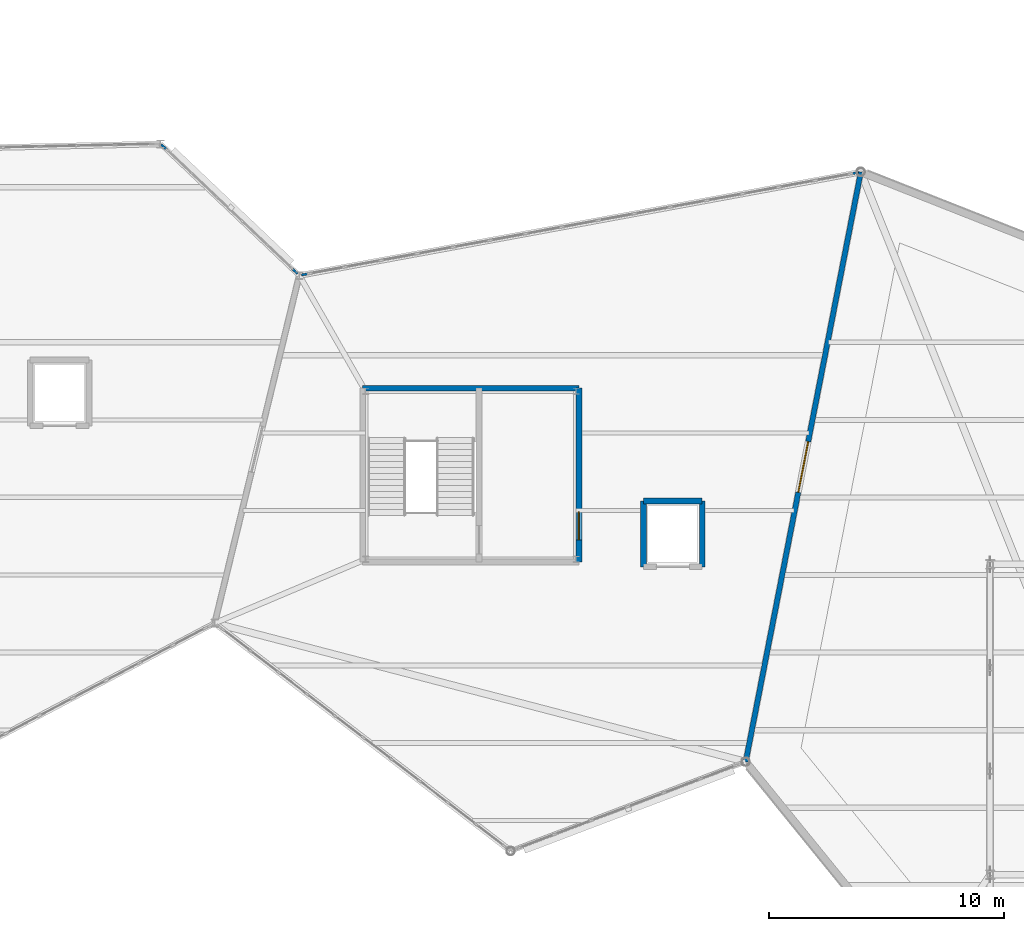
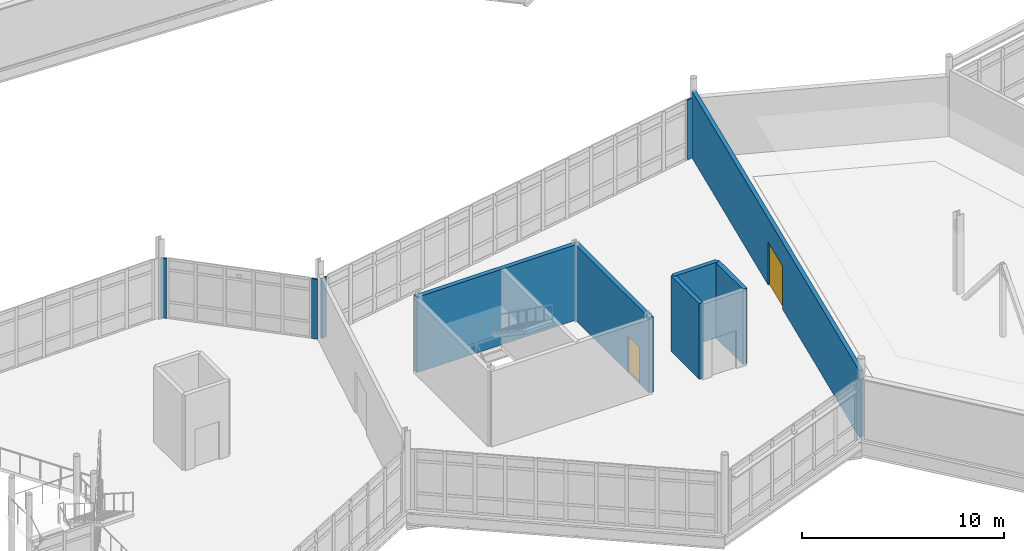
# One storey, part 92 of 114: 10 walls, 2 doors, 2 openings.
"""IFC4 building model written with IfcOpenShell, lengths in metres."""

from ifc_helpers import new_model, si_unit, direction, frame, frame_2d, origin, place, context, subcontext, project, spatial, rectangle, extrude, material, layer, layer_set, type_object, element, fill, save


model = new_model("IFC4")

# Units and contexts
model_context = context("Model", 3, precision=1e-05, world=origin(), true_north=direction((0.0, 1.0)))
body_context = subcontext(model_context, "Body", "Model", "MODEL_VIEW")
ifc_project = project(units=[si_unit("LENGTHUNIT", "METRE"), si_unit("AREAUNIT", "SQUARE_METRE"), si_unit("VOLUMEUNIT", "CUBIC_METRE"), si_unit("PLANEANGLEUNIT", "RADIAN"), si_unit("MASSUNIT", "GRAM", prefix="KILO")], contexts=[model_context])

# Site, building, storey
site_placement = place(None, origin())
site = spatial("IfcSite", under=ifc_project, at=site_placement, CompositionType="ELEMENT")
building_placement = place(site_placement, origin())
building = spatial("IfcBuilding", under=site, at=building_placement, Name="Tameran Prism Museum", CompositionType="ELEMENT")
storey_placement = place(building_placement, frame((0.0, 0.0, 10.199951171875)))
storey = spatial("IfcBuildingStorey", under=building, at=storey_placement, Name="L02", CompositionType="ELEMENT", Elevation=10.199951171875)

# Walls
ifc_material_1 = material(Name="Precast Concrete N40 (40 MPa)", Category="concrete")
ifc_layer_1 = layer(ifc_material_1, 0.094970703125)
ifc_layer_set_1 = layer_set([ifc_layer_1])
wall_type_1 = type_object("IfcWallType", Name="EW-CLOS-095", PredefinedType="SOLIDWALL", material=ifc_layer_set_1)
for number, where, z_axis, x_axis, name in (
    (1, (95.830078125, 48.571044921875, 0.0), (0.0, 0.0, 1.0), (0.725848676719, -0.687854416651, 0.0), "Facade Corner Closure EW-0304"),
    (2, (101.403076171875, 43.281982421875, 0.0), (0.0, 0.0, 1.0), (0.726243974232, -0.687437044311, 0.0), "Facade Corner Closure EW-0305"),
):
    element("IfcWall", number, at=place(storey_placement, frame(where, z_axis=z_axis, x_axis=x_axis)), inside=storey, type_object=wall_type_1, Name=name, PredefinedType="SOLIDWALL", context=body_context, shape_type="SweptSolid", body=[
        extrude(rectangle(XDim=0.308349609375, YDim=0.094970703125, at=frame_2d((0.154296875, 0.0))), origin(), (0.0, 0.0, 1.0), 3.6201171875),
    ])
for number, where, z_axis, x_axis, name in (
    (3, (101.800048828125, 43.01904296875, 0.0), (0.0, 0.0, 1.0), (0.983958590936, 0.178397004803, 0.0), "Facade Corner Closure EW-0318"),
    (4, (125.193115234375, 47.324951171875, 0.0), (0.0, 0.0, 1.0), (0.983958590936, 0.178397004803, 0.0), "Facade Corner Closure EW-0319"),
):
    element("IfcWall", number, at=place(storey_placement, frame(where, z_axis=z_axis, x_axis=x_axis)), inside=storey, type_object=wall_type_1, Name=name, PredefinedType="SOLIDWALL", context=body_context, shape_type="SweptSolid", body=[
        extrude(rectangle(XDim=0.307861328125, YDim=0.094970703125, at=frame_2d((0.15380859375, 0.0))), origin(), (0.0, 0.0, 1.0), 3.6201171875),
    ])

# Wall, opening, door
ifc_material_2 = material(Name="Concrete N40 (40 MPa)", Category="concrete")
ifc_layer_2 = layer(ifc_material_2, 0.22509765625)
ifc_layer_set_2 = layer_set([ifc_layer_2])
wall_type_2 = type_object("IfcWallType", Name="IW-CMP-225", PredefinedType="SOLIDWALL", material=ifc_layer_set_2)
wall_1_placement = place(storey_placement, frame((120.699951171875, 22.300048828125, 0.0), z_axis=(0.0, 0.0, 1.0), x_axis=(0.191608827438, 0.981471373626, 0.0)))
wall_1 = element("IfcWall", 5, at=wall_1_placement, inside=storey, type_object=wall_type_2, Name="Compartment Wall IW-0121", PredefinedType="SOLIDWALL", context=body_context, shape_type="SweptSolid", body=[
    extrude(rectangle(XDim=25.57373046875, YDim=0.22509765625, at=frame_2d((12.786865234375, 0.0))), origin(), (0.0, 0.0, 1.0), 4.02001953125),
])
opening_1_placement = place(wall_1_placement, frame((11.68701171875, 0.0, 0.0)))
opening_1 = element("IfcOpeningElement", 6, at=opening_1_placement, cuts=wall_1, Name="Opening ID-0120", PredefinedType="OPENING", context=body_context, shape_type="SweptSolid", body=[
    extrude(rectangle(XDim=2.199951171875, YDim=2.60009765625, at=frame_2d((1.10009765625, 1.300048828125))), frame((0.0, 0.12255859375, 0.0), z_axis=(0.0, -1.0, 0.0), x_axis=(1.0, 0.0, 0.0)), (0.0, 0.0, 1.0), 0.2451171875),
])
ifc_material_3 = material(Name="Fire-Rated Steel Door Leaf and Frame", Category="steel")
door_type_1 = type_object("IfcDoorType", Name="DR-GAL-220", OperationType="DOUBLE_DOOR_SINGLE_SWING", PredefinedType="DOOR", material=ifc_material_3)
door_1_placement = place(opening_1_placement, origin())
door_1 = element("IfcDoor", 7, at=door_1_placement, inside=storey, type_object=door_type_1, Name="Compartment Door ID-0120", OperationType="DOUBLE_DOOR_SINGLE_SWING", OverallHeight=2.60009765625, OverallWidth=2.199951171875, PredefinedType="DOOR", context=body_context, shape_type="SweptSolid", body=[
    extrude(rectangle(XDim=2.199951171875, YDim=2.60009765625, at=frame_2d((1.10009765625, 1.300048828125))), frame((0.0, 0.02490234375, 0.0), z_axis=(0.0, -1.0, 0.0), x_axis=(1.0, 0.0, 0.0)), (0.0, 0.0, 1.0), 0.050048828125),
])
fill(opening_1, door_1)

# Wall
ifc_material_4 = material(Name="Concrete N40 (40 MPa)", Category="concrete")
ifc_layer_3 = layer(ifc_material_4, 0.25)
ifc_layer_set_3 = layer_set([ifc_layer_3])
wall_type_3 = type_object("IfcWallType", Name="IW-COR-250", PredefinedType="SHEAR", material=ifc_layer_set_3)
wall_2_placement = place(storey_placement, frame((104.39990234375, 38.199951171875, 0.0), z_axis=(0.0, 0.0, 1.0), x_axis=(1.0, 0.0, 0.0)))
element("IfcWall", 8, at=wall_2_placement, inside=storey, type_object=wall_type_3, Name="Core Shear Wall CW-4-L02-N", PredefinedType="SHEAR", context=body_context, shape_type="SweptSolid", body=[
    extrude(rectangle(XDim=9.2001953125, YDim=0.25, at=frame_2d((4.60009765625, 0.0))), origin(), (0.0, 0.0, 1.0), 4.56005859375),
])

# Wall, opening, door
wall_3_placement = place(storey_placement, frame((113.60009765625, 38.199951171875, 0.0), z_axis=(0.0, 0.0, 1.0), x_axis=(0.0, -1.0, 0.0)))
wall_3 = element("IfcWall", 9, at=wall_3_placement, inside=storey, type_object=wall_type_3, Name="Core Shear Wall CW-4-L02-E", PredefinedType="SHEAR", context=body_context, shape_type="SweptSolid", body=[
    extrude(rectangle(XDim=7.39990234375, YDim=0.25, at=frame_2d((3.699951171875, 0.0))), origin(), (0.0, 0.0, 1.0), 4.56005859375),
])
opening_2_placement = place(wall_3_placement, frame((5.25, 0.0, 0.0)))
opening_2 = element("IfcOpeningElement", 10, at=opening_2_placement, cuts=wall_3, Name="Opening FD-0239", PredefinedType="OPENING", context=body_context, shape_type="SweptSolid", body=[
    extrude(rectangle(XDim=1.199951171875, YDim=2.199951171875, at=frame_2d((0.60009765625, 1.10009765625))), frame((0.0, 0.135009765625, 0.0), z_axis=(0.0, -1.0, 0.0), x_axis=(1.0, 0.0, 0.0)), (0.0, 0.0, 1.0), 0.27001953125),
])
ifc_material_5 = material(Name="Fire-Rated Steel Door Leaf and Frame", Category="steel")
door_type_2 = type_object("IfcDoorType", Name="DR-FD-120A", OperationType="NOTDEFINED", PredefinedType="DOOR", material=ifc_material_5)
door_2_placement = place(opening_2_placement, origin())
door_2 = element("IfcDoor", 11, at=door_2_placement, inside=storey, type_object=door_type_2, Name="Core Fire Door FD-0239", OperationType="SINGLE_SWING_LEFT", OverallHeight=2.199951171875, OverallWidth=1.199951171875, PredefinedType="DOOR", context=body_context, shape_type="SweptSolid", body=[
    extrude(rectangle(XDim=1.199951171875, YDim=2.199951171875, at=frame_2d((0.60009765625, 1.10009765625))), frame((0.0, 0.02490234375, 0.0), z_axis=(0.0, -1.0, 0.0), x_axis=(1.0, 0.0, 0.0)), (0.0, 0.0, 1.0), 0.050048828125),
])
fill(opening_2, door_2)

# Walls
ifc_material_6 = material(Name="Concrete N40 (40 MPa)", Category="concrete")
ifc_layer_4 = layer(ifc_material_6, 0.239990234375)
ifc_layer_set_4 = layer_set([ifc_layer_4])
wall_type_4 = type_object("IfcWallType", Name="IW-LFT-240", PredefinedType="SHEAR", material=ifc_layer_set_4)
wall_4_placement = place(storey_placement, frame((116.35009765625, 33.39990234375, 0.0), z_axis=(0.0, 0.0, 1.0), x_axis=(1.0, 0.0, 0.0)))
element("IfcWall", 12, at=wall_4_placement, inside=storey, type_object=wall_type_4, Name="Lift Shaft Wall LW-PL03-L02N", PredefinedType="SHEAR", context=body_context, shape_type="SweptSolid", body=[
    extrude(rectangle(XDim=2.5, YDim=0.239990234375, at=frame_2d((1.25, 0.0))), origin(), (0.0, 0.0, 1.0), 4.56005859375),
])
for number, where, z_axis, x_axis, name in (
    (13, (118.85009765625, 33.39990234375, 0.0), (0.0, 0.0, 1.0), (0.0, -1.0, 0.0), "Lift Shaft Wall LW-PL03-L02E"),
    (14, (116.35009765625, 30.60009765625, 0.0), (0.0, 0.0, 1.0), (0.0, 1.0, 0.0), "Lift Shaft Wall LW-PL03-L02W"),
):
    element("IfcWall", number, at=place(storey_placement, frame(where, z_axis=z_axis, x_axis=x_axis)), inside=storey, type_object=wall_type_4, Name=name, PredefinedType="SHEAR", context=body_context, shape_type="SweptSolid", body=[
        extrude(rectangle(XDim=2.7998046875, YDim=0.239990234375, at=frame_2d((1.39990234375, 0.0))), origin(), (0.0, 0.0, 1.0), 4.56005859375),
    ])

save(model, "model.ifc")
